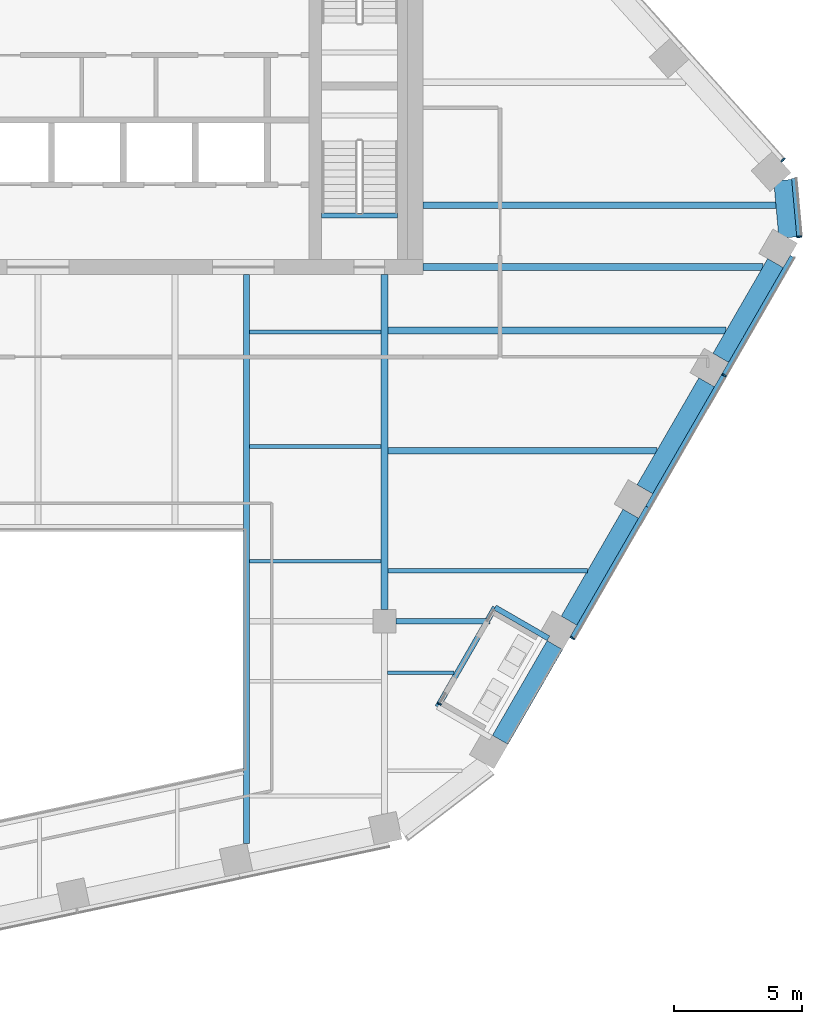
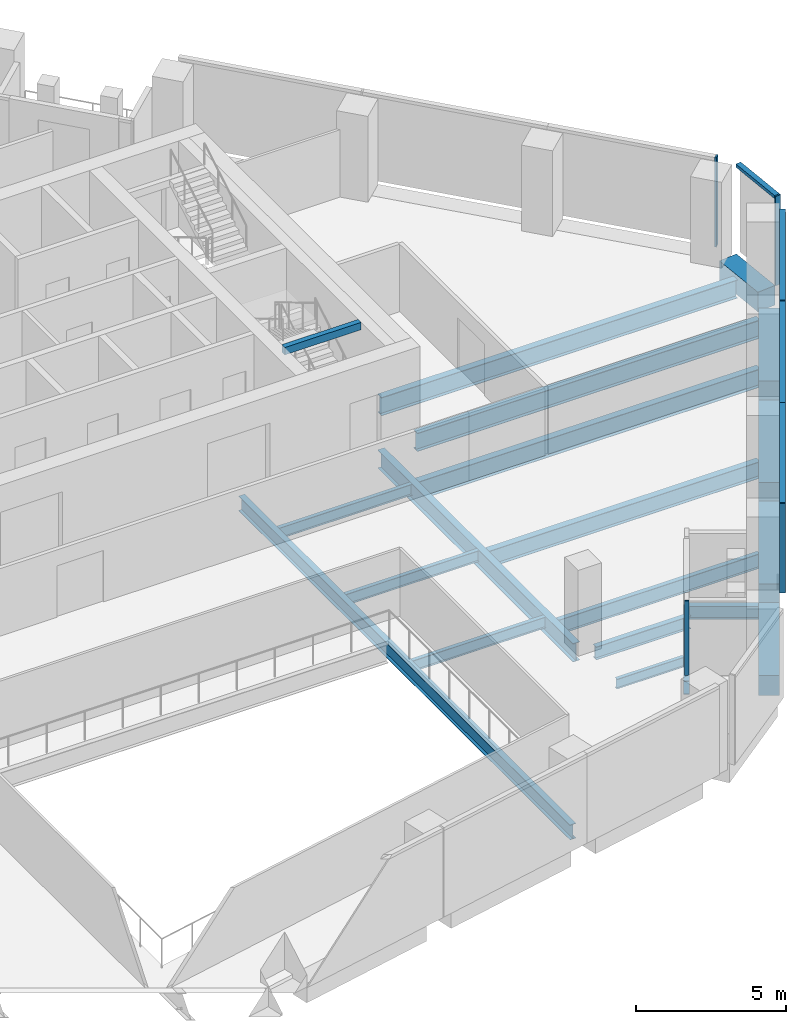
# One storey, part 5 of 24: 20 beams, 9 members, 4 elements without a shape of their own.
"""IFC4 building model written with IfcOpenShell, lengths in metres."""

from ifc_helpers import new_model, si_unit, direction, frame, origin, origin_2d, place, context, subcontext, project, spatial, rectangle, i_section, extrude, material, layer, layer_set, material_profile, profile_set, type_object, element, aggregate, save


model = new_model("IFC4")

# Units and contexts
model_context = context("Model", 3, precision=1e-05, world=origin(), true_north=direction((0.0, 1.0)))
body_context = subcontext(model_context, "Body", "Model", "MODEL_VIEW")
ifc_project = project(units=[si_unit("LENGTHUNIT", "METRE"), si_unit("AREAUNIT", "SQUARE_METRE"), si_unit("VOLUMEUNIT", "CUBIC_METRE"), si_unit("PLANEANGLEUNIT", "RADIAN"), si_unit("MASSUNIT", "GRAM", prefix="KILO")], contexts=[model_context])

# Site, building, storey
site_placement = place(None, origin())
site = spatial("IfcSite", under=ifc_project, at=site_placement, CompositionType="ELEMENT")
building_placement = place(site_placement, origin())
building = spatial("IfcBuilding", under=site, at=building_placement, Name="Isthmus Gate Tower", CompositionType="ELEMENT")
storey_placement = place(building_placement, frame((0.0, 0.0, 219.949951171875)))
storey = spatial("IfcBuildingStorey", under=building, at=storey_placement, Name="L55", CompositionType="ELEMENT", Elevation=219.949951171875)

# Curtain wall, members
ifc_material_1 = material(Name="Aluminium, pale champagne anodised", Category="aluminium")
ifc_layer_1 = layer(ifc_material_1, 0.199951171875)
ifc_layer_set_1 = layer_set([ifc_layer_1], Name="CW-1 UNITISED CURTAIN WALL 200 DEEP")
curtain_wall_type_1 = type_object("IfcCurtainWallType", Name="CW-1 UNITISED CURTAIN WALL 200 DEEP", PredefinedType="NOTDEFINED", material=ifc_layer_set_1)
curtain_wall_1_placement = place(storey_placement, origin())
curtain_wall_1 = element("IfcCurtainWall", 1, at=curtain_wall_1_placement, inside=storey, type_object=curtain_wall_type_1, Name="CW-1 SE L55", PredefinedType="NOTDEFINED")
ifc_material_2 = material(Name="Aluminium, pale champagne anodised", Category="aluminium")
ifc_material_profile_1 = material_profile(ifc_material_2, rectangle(XDim=0.06005859375, YDim=0.199951171875, at=origin_2d()), Name="60x200")
ifc_profile_set_1 = profile_set([ifc_material_profile_1], Name="Aluminium, pale champagne anodised")
member_type_1 = type_object("IfcMemberType", Name="CW-1 MULLION 60 X 200", PredefinedType="MULLION", material=ifc_profile_set_1)
member_1_placement = place(storey_placement, frame((20.81201171875, -14.152587890625, 0.0), z_axis=(0.0, 0.0, 1.0), x_axis=(0.5, 0.866025403784, 0.0)))
member_1 = element("IfcMember", 2, at=member_1_placement, type_object=member_type_1, Name="CW-1 mullion", PredefinedType="MULLION", context=body_context, shape_type="SweptSolid", body=[
    extrude(rectangle(XDim=0.06005859375, YDim=0.199951171875, at=origin_2d()), origin(), (0.0, 0.0, 1.0), 3.650146484375),
])
member_2_placement = place(storey_placement, frame((26.72265625, -3.9150390625, 0.0), z_axis=(0.0, 0.0, 1.0), x_axis=(0.5, 0.866025403784, 0.0)))
member_2 = element("IfcMember", 3, at=member_2_placement, type_object=member_type_1, Name="CW-1 mullion", PredefinedType="MULLION", context=body_context, shape_type="SweptSolid", body=[
    extrude(rectangle(XDim=0.06005859375, YDim=0.199951171875, at=origin_2d()), origin(), (0.0, 0.0, 1.0), 3.650146484375),
])

# Curtain wall, member
curtain_wall_2_placement = place(storey_placement, origin())
curtain_wall_2 = element("IfcCurtainWall", 4, at=curtain_wall_2_placement, inside=storey, type_object=curtain_wall_type_1, Name="CW-1 SE-NE L55", PredefinedType="NOTDEFINED")
member_3_placement = place(storey_placement, frame((29.654296875, 1.4765625, 0.0), z_axis=(0.0, 0.0, 1.0), x_axis=(-0.089396669717, 0.995996102123, 0.0)))
member_3 = element("IfcMember", 5, at=member_3_placement, type_object=member_type_1, Name="CW-1 mullion", PredefinedType="MULLION", context=body_context, shape_type="SweptSolid", body=[
    extrude(rectangle(XDim=0.06005859375, YDim=0.199951171875, at=origin_2d()), origin(), (0.0, 0.0, 1.0), 3.650146484375),
])

curtain_wall_3_placement = place(storey_placement, origin())
curtain_wall_3 = element("IfcCurtainWall", 6, at=curtain_wall_3_placement, inside=storey, type_object=curtain_wall_type_1, Name="CW-1 NE L55", PredefinedType="NOTDEFINED")
member_4_placement = place(storey_placement, frame((29.016357421875, 4.46923828125, 0.0), z_axis=(0.0, 0.0, 1.0), x_axis=(-0.669130606359, 0.743144825477, 0.0)))
member_4 = element("IfcMember", 7, at=member_4_placement, type_object=member_type_1, Name="CW-1 mullion", PredefinedType="MULLION", context=body_context, shape_type="SweptSolid", body=[
    extrude(rectangle(XDim=0.06005859375, YDim=0.199951171875, at=origin_2d()), origin(), (0.0, 0.0, 1.0), 3.650146484375),
])
aggregate(curtain_wall_3, [member_4])

# Member
ifc_material_3 = material(Name="Aluminium, pale champagne anodised", Category="aluminium")
ifc_material_profile_2 = material_profile(ifc_material_3, rectangle(XDim=0.199951171875, YDim=0.1298828125, at=origin_2d()), Name="200x130")
ifc_profile_set_2 = profile_set([ifc_material_profile_2], Name="Aluminium, pale champagne anodised")
member_type_2 = type_object("IfcMemberType", Name="CW-1 TRANSOM 200 X 130", PredefinedType="USERDEFINED", material=ifc_profile_set_2)
member_5_placement = place(storey_placement, frame((20.826904296875, -14.126708984375, 3.5849609375), z_axis=(0.49998975084, 0.866031321059, 0.0), x_axis=(-0.866031321059, 0.49998975084, 0.0)))
member_5 = element("IfcMember", 8, at=member_5_placement, type_object=member_type_2, Name="CW-1 transom", ObjectType="TRANSOM", PredefinedType="USERDEFINED", context=body_context, shape_type="SweptSolid", body=[
    extrude(rectangle(XDim=0.199951171875, YDim=0.1298828125, at=origin_2d()), origin(), (0.0, 0.0, 1.0), 5.8505859375),
])

member_6_placement = place(storey_placement, frame((23.752197265625, -9.059814453125, 3.5849609375), z_axis=(0.500008496284, 0.866020498397, 0.0), x_axis=(-0.866020498397, 0.500008496284, 0.0)))
member_6 = element("IfcMember", 9, at=member_6_placement, type_object=member_type_2, Name="CW-1 transom", ObjectType="TRANSOM", PredefinedType="USERDEFINED", context=body_context, shape_type="SweptSolid", body=[
    extrude(rectangle(XDim=0.199951171875, YDim=0.1298828125, at=origin_2d()), origin(), (0.0, 0.0, 1.0), 5.91064453125),
])

member_7_placement = place(storey_placement, frame((26.737548828125, -3.88916015625, 3.5849609375), z_axis=(0.500022807565, 0.86601223543, 0.0), x_axis=(-0.86601223543, 0.500022807565, 0.0)))
member_7 = element("IfcMember", 10, at=member_7_placement, type_object=member_type_2, Name="CW-1 transom", ObjectType="TRANSOM", PredefinedType="USERDEFINED", context=body_context, shape_type="SweptSolid", body=[
    extrude(rectangle(XDim=0.199951171875, YDim=0.1298828125, at=origin_2d()), origin(), (0.0, 0.0, 1.0), 5.300537109375),
])

aggregate(curtain_wall_1, [member_1, member_5, member_6, member_2, member_7])

member_8_placement = place(storey_placement, frame((29.651611328125, 1.506591796875, 3.5849609375), z_axis=(-0.089395362867, 0.995996219419, 0.0), x_axis=(-0.995996219419, -0.089395362867, 0.0)))
member_8 = element("IfcMember", 11, at=member_8_placement, type_object=member_type_2, Name="CW-1 transom", ObjectType="TRANSOM", PredefinedType="USERDEFINED", context=body_context, shape_type="SweptSolid", body=[
    extrude(rectangle(XDim=0.199951171875, YDim=0.1298828125, at=origin_2d()), origin(), (0.0, 0.0, 1.0), 2.258544921875),
])

aggregate(curtain_wall_2, [member_3, member_8])

# Curtain wall, member
ifc_material_4 = material(Name="Aluminium, pale champagne anodised", Category="aluminium")
ifc_layer_2 = layer(ifc_material_4, 0.14990234375)
ifc_layer_set_2 = layer_set([ifc_layer_2], Name="CW-6 LOGGIA BACK WALL GLAZING 150 DEEP")
curtain_wall_type_2 = type_object("IfcCurtainWallType", Name="CW-6 LOGGIA BACK WALL GLAZING 150 DEEP", PredefinedType="NOTDEFINED", material=ifc_layer_set_2)
curtain_wall_4_placement = place(storey_placement, origin())
curtain_wall_4 = element("IfcCurtainWall", 12, at=curtain_wall_4_placement, inside=storey, type_object=curtain_wall_type_2, Name="CW-6 SE L55", PredefinedType="NOTDEFINED")
ifc_material_5 = material(Name="Aluminium, pale champagne anodised", Category="aluminium")
ifc_material_profile_3 = material_profile(ifc_material_5, rectangle(XDim=0.06005859375, YDim=0.14990234375, at=origin_2d()), Name="60x150")
ifc_profile_set_3 = profile_set([ifc_material_profile_3], Name="Aluminium, pale champagne anodised")
member_type_3 = type_object("IfcMemberType", Name="CW-6 MULLION 60 X 150", PredefinedType="MULLION", material=ifc_profile_set_3)
member_9_placement = place(storey_placement, frame((15.635498046875, -16.71875, 0.0), z_axis=(0.0, 0.0, 1.0), x_axis=(0.5, 0.866025403784, 0.0)))
member_9 = element("IfcMember", 13, at=member_9_placement, type_object=member_type_3, Name="CW-6 mullion", PredefinedType="MULLION", context=body_context, shape_type="SweptSolid", body=[
    extrude(rectangle(XDim=0.06005859375, YDim=0.14990234375, at=origin_2d()), origin(), (0.0, 0.0, 1.0), 3.050048828125),
])
aggregate(curtain_wall_4, [member_9])

# Beams
ifc_material_6 = material(Name="Concrete f'c 50 MPa", Category="concrete")
ifc_material_profile_4 = material_profile(ifc_material_6, rectangle(XDim=0.699951171875, YDim=0.800048828125, at=origin_2d()), Name="RC 700X800")
ifc_profile_set_4 = profile_set([ifc_material_profile_4], Name="Concrete f'c 50 MPa")
beam_type_1 = type_object("IfcBeamType", Name="RC SPANDREL 700 X 800", PredefinedType="SPANDREL", material=ifc_profile_set_4)
beam_1_placement = place(storey_placement, frame((29.0048828125, 3.678466796875, -0.39990234375), z_axis=(0.089359478208, -0.995999439585, 0.0), x_axis=(0.995999439585, 0.089359478208, 0.0)))
element("IfcBeam", 14, at=beam_1_placement, inside=storey, type_object=beam_type_1, Name="str-spandrel-L55-05", PredefinedType="SPANDREL", context=body_context, shape_type="SweptSolid", body=[
    extrude(rectangle(XDim=0.699951171875, YDim=0.800048828125, at=origin_2d()), origin(), (0.0, 0.0, 1.0), 2.245849609375),
])
beam_2_placement = place(storey_placement, frame((28.72314453125, 0.449951171875, -0.39990234375), z_axis=(-0.500021719575, -0.866012863619, 0.0), x_axis=(0.866012863619, -0.500021719575, 0.0)))
element("IfcBeam", 15, at=beam_2_placement, inside=storey, type_object=beam_type_1, Name="str-spandrel-L55-06", PredefinedType="SPANDREL", context=body_context, shape_type="SweptSolid", body=[
    extrude(rectangle(XDim=0.699951171875, YDim=0.800048828125, at=origin_2d()), origin(), (0.0, 0.0, 1.0), 4.260498046875),
])
for number, where, z_axis, x_axis, name in (
    (16, (26.04296875, -4.1923828125, -0.39990234375), (-0.500019702373, -0.866014028315, 0.0), (0.866014028315, -0.500019702373, 0.0), "str-spandrel-L55-07"),
    (17, (23.087646484375, -9.31103515625, -0.39990234375), (-0.49998164095, -0.866036003127, 0.0), (0.866036003127, -0.49998164095, 0.0), "str-spandrel-L55-08"),
):
    element("IfcBeam", number, at=place(storey_placement, frame(where, z_axis=z_axis, x_axis=x_axis)), inside=storey, type_object=beam_type_1, Name=name, PredefinedType="SPANDREL", context=body_context, shape_type="SweptSolid", body=[
        extrude(rectangle(XDim=0.699951171875, YDim=0.800048828125, at=origin_2d()), origin(), (0.0, 0.0, 1.0), 4.810791015625),
    ])
beam_3_placement = place(storey_placement, frame((20.13232421875, -14.429931640625, -0.39990234375), z_axis=(-0.500021719575, -0.866012863619, 0.0), x_axis=(0.866012863619, -0.500021719575, 0.0)))
element("IfcBeam", 18, at=beam_3_placement, inside=storey, type_object=beam_type_1, Name="str-spandrel-L55-09", PredefinedType="SPANDREL", context=body_context, shape_type="SweptSolid", body=[
    extrude(rectangle(XDim=0.699951171875, YDim=0.800048828125, at=origin_2d()), origin(), (0.0, 0.0, 1.0), 4.260498046875),
])
ifc_material_7 = material(Name="Concrete f'c 40 MPa", Category="concrete")
ifc_material_profile_5 = material_profile(ifc_material_7, rectangle(XDim=0.199951171875, YDim=0.300048828125, at=origin_2d()), Name="STAIR LANDING BEAM RC 200 X 300")
ifc_profile_set_5 = profile_set([ifc_material_profile_5], Name="Concrete f'c 40 MPa")
beam_type_2 = type_object("IfcBeamType", Name="STAIR LANDING BEAM RC 200 X 300", PredefinedType="BEAM", material=ifc_profile_set_5)
beam_4_placement = place(storey_placement, frame((11.050048828125, 2.2998046875, 3.35009765625), z_axis=(1.0, 0.0, 0.0), x_axis=(0.0, 1.0, 0.0)))
element("IfcBeam", 19, at=beam_4_placement, inside=storey, type_object=beam_type_2, Name="L55 ST8 floor-edge seat beam", PredefinedType="BEAM", context=body_context, shape_type="SweptSolid", body=[
    extrude(rectangle(XDim=0.199951171875, YDim=0.300048828125, at=origin_2d()), origin(), (0.0, 0.0, 1.0), 2.949951171875),
])
ifc_material_8 = material(Name="Structural steel ASTM A992 Gr 50", Category="steel")
ifc_material_profile_6 = material_profile(ifc_material_8, i_section(OverallWidth=0.1396484375, OverallDepth=0.4033203125, WebThickness=0.00634765625, FlangeThickness=0.010986328125, at=origin_2d()), Name="W16X31")
ifc_profile_set_6 = profile_set([ifc_material_profile_6], Name="Structural steel ASTM A992 Gr 50")
beam_type_3 = type_object("IfcBeamType", Name="STEEL FLOOR BEAM W16X31", PredefinedType="JOIST", material=ifc_profile_set_6)
beam_5_placement = place(storey_placement, frame((13.6142578125, -15.5107421875, -0.3515625), z_axis=(1.0, 0.0, 0.0), x_axis=(0.0, 1.0, 0.0)))
element("IfcBeam", 20, at=beam_5_placement, inside=storey, type_object=beam_type_3, Name="str-beam-L55-15-01", PredefinedType="JOIST", context=body_context, shape_type="SweptSolid", body=[
    extrude(i_section(OverallWidth=0.1396484375, OverallDepth=0.4033203125, WebThickness=0.00634765625, FlangeThickness=0.010986328125, at=origin_2d()), origin(), (0.0, 0.0, 1.0), 2.592041015625),
])
ifc_material_9 = material(Name="Structural steel ASTM A992 Gr 50", Category="steel")
ifc_material_profile_7 = material_profile(ifc_material_9, i_section(OverallWidth=0.15234375, OverallDepth=0.45068359375, WebThickness=0.0078125, FlangeThickness=0.010986328125, at=origin_2d()), Name="W18X35")
ifc_profile_set_7 = profile_set([ifc_material_profile_7], Name="Structural steel ASTM A992 Gr 50")
beam_type_4 = type_object("IfcBeamType", Name="STEEL FLOOR BEAM W18X35", PredefinedType="JOIST", material=ifc_profile_set_7)
for number, where, z_axis, x_axis, name in (
    (21, (8.228515625, -11.16259765625, -0.375244140625), (1.0, 0.0, 0.0), (0.0, 1.0, 0.0), "str-beam-L55-13-00"),
    (22, (8.228515625, -6.697509765625, -0.375244140625), (1.0, 0.0, 0.0), (0.0, 1.0, 0.0), "str-beam-L55-13-01"),
    (23, (8.228515625, -2.232421875, -0.375244140625), (1.0, 0.0, 0.0), (0.0, 1.0, 0.0), "str-beam-L55-13-02"),
):
    element("IfcBeam", number, at=place(storey_placement, frame(where, z_axis=z_axis, x_axis=x_axis)), inside=storey, type_object=beam_type_4, Name=name, PredefinedType="JOIST", context=body_context, shape_type="SweptSolid", body=[
        extrude(i_section(OverallWidth=0.15234375, OverallDepth=0.45068359375, WebThickness=0.0078125, FlangeThickness=0.010986328125, at=origin_2d()), origin(), (0.0, 0.0, 1.0), 5.1396484375),
    ])
ifc_material_10 = material(Name="Structural steel ASTM A992 Gr 50", Category="steel")
ifc_material_profile_8 = material_profile(ifc_material_10, i_section(OverallWidth=0.177734375, OverallDepth=0.60009765625, WebThickness=0.009521484375, FlangeThickness=0.0126953125, at=origin_2d()), Name="W24X55")
ifc_profile_set_8 = profile_set([ifc_material_profile_8], Name="Structural steel ASTM A992 Gr 50")
beam_type_5 = type_object("IfcBeamType", Name="STEEL FLOOR BEAM W24X55", PredefinedType="JOIST", material=ifc_profile_set_8)
beam_6_placement = place(storey_placement, frame((13.6318359375, -11.533203125, -0.449951171875), z_axis=(1.0, 0.0, 0.0), x_axis=(0.0, 1.0, 0.0)))
element("IfcBeam", 24, at=beam_6_placement, inside=storey, type_object=beam_type_5, Name="str-beam-L55-17-00", PredefinedType="JOIST", context=body_context, shape_type="SweptSolid", body=[
    extrude(i_section(OverallWidth=0.177734375, OverallDepth=0.60009765625, WebThickness=0.009521484375, FlangeThickness=0.0126953125, at=origin_2d()), origin(), (0.0, 0.0, 1.0), 7.768798828125),
])
ifc_material_11 = material(Name="Structural steel ASTM A992 Gr 50", Category="steel")
ifc_material_profile_9 = material_profile(ifc_material_11, i_section(OverallWidth=0.25390625, OverallDepth=0.679443359375, WebThickness=0.010986328125, FlangeThickness=0.015869140625, at=origin_2d()), Name="W27X84")
ifc_profile_set_9 = profile_set([ifc_material_profile_9], Name="Structural steel ASTM A992 Gr 50")
beam_type_6 = type_object("IfcBeamType", Name="STEEL FLOOR BEAM W27X84", PredefinedType="JOIST", material=ifc_profile_set_9)
beam_7_placement = place(storey_placement, frame((13.6318359375, -6.8525390625, -0.48974609375), z_axis=(1.0, 0.0, 0.0), x_axis=(0.0, 1.0, 0.0)))
element("IfcBeam", 25, at=beam_7_placement, inside=storey, type_object=beam_type_6, Name="str-beam-L55-17-01", PredefinedType="JOIST", context=body_context, shape_type="SweptSolid", body=[
    extrude(i_section(OverallWidth=0.25390625, OverallDepth=0.679443359375, WebThickness=0.010986328125, FlangeThickness=0.015869140625, at=origin_2d()), origin(), (0.0, 0.0, 1.0), 10.470947265625),
])
ifc_material_12 = material(Name="Structural steel ASTM A992 Gr 50", Category="steel")
ifc_material_profile_10 = material_profile(ifc_material_12, i_section(OverallWidth=0.263427734375, OverallDepth=0.749267578125, WebThickness=0.0126953125, FlangeThickness=0.015869140625, at=origin_2d()), Name="W30X90")
ifc_profile_set_10 = profile_set([ifc_material_profile_10], Name="Structural steel ASTM A992 Gr 50")
beam_type_7 = type_object("IfcBeamType", Name="STEEL FLOOR BEAM W30X90", PredefinedType="JOIST", material=ifc_profile_set_10)
beam_8_placement = place(storey_placement, frame((13.6318359375, -2.172119140625, -0.524658203125), z_axis=(1.0, 0.0, 0.0), x_axis=(0.0, 1.0, 0.0)))
element("IfcBeam", 26, at=beam_8_placement, inside=storey, type_object=beam_type_7, Name="str-beam-L55-17-02", PredefinedType="JOIST", context=body_context, shape_type="SweptSolid", body=[
    extrude(i_section(OverallWidth=0.263427734375, OverallDepth=0.749267578125, WebThickness=0.0126953125, FlangeThickness=0.015869140625, at=origin_2d()), origin(), (0.0, 0.0, 1.0), 13.17333984375),
])
beam_9_placement = place(storey_placement, frame((15.0, 2.699951171875, -0.524658203125), z_axis=(1.0, 0.0, 0.0), x_axis=(0.0, 1.0, 0.0)))
element("IfcBeam", 27, at=beam_9_placement, inside=storey, type_object=beam_type_7, Name="str-beam-L55-18-00", PredefinedType="JOIST", context=body_context, shape_type="SweptSolid", body=[
    extrude(i_section(OverallWidth=0.263427734375, OverallDepth=0.749267578125, WebThickness=0.0126953125, FlangeThickness=0.015869140625, at=origin_2d()), origin(), (0.0, 0.0, 1.0), 13.7412109375),
])
ifc_material_13 = material(Name="Structural steel ASTM A992 Gr 50", Category="steel")
ifc_material_profile_11 = material_profile(ifc_material_13, i_section(OverallWidth=0.20947265625, OverallDepth=0.533447265625, WebThickness=0.009521484375, FlangeThickness=0.015869140625, at=origin_2d()), Name="W21X62")
ifc_profile_set_11 = profile_set([ifc_material_profile_11], Name="Structural steel ASTM A992 Gr 50")
beam_type_8 = type_object("IfcBeamType", Name="STEEL GIRDER W21X62", PredefinedType="BEAM", material=ifc_profile_set_11)
beam_10_placement = place(storey_placement, frame((13.949951171875, -13.5, -0.416748046875), z_axis=(1.0, 0.0, 0.0), x_axis=(0.0, 1.0, 0.0)))
element("IfcBeam", 28, at=beam_10_placement, inside=storey, type_object=beam_type_8, Name="str-girder-L55-04", PredefinedType="BEAM", context=body_context, shape_type="SweptSolid", body=[
    extrude(i_section(OverallWidth=0.20947265625, OverallDepth=0.533447265625, WebThickness=0.009521484375, FlangeThickness=0.015869140625, at=origin_2d()), origin(), (0.0, 0.0, 1.0), 3.6591796875),
])
ifc_material_14 = material(Name="Structural steel ASTM A992 Gr 50", Category="steel")
ifc_material_profile_12 = material_profile(ifc_material_14, i_section(OverallWidth=0.263427734375, OverallDepth=0.749267578125, WebThickness=0.0126953125, FlangeThickness=0.015869140625, at=origin_2d()), Name="W30X90")
ifc_profile_set_12 = profile_set([ifc_material_profile_12], Name="Structural steel ASTM A992 Gr 50")
beam_type_9 = type_object("IfcBeamType", Name="STEEL GIRDER W30X90", PredefinedType="BEAM", material=ifc_profile_set_12)
beam_11_placement = place(storey_placement, frame((13.5, -13.050048828125, -0.524658203125), z_axis=(0.0, 1.0, 0.0), x_axis=(-1.0, 0.0, 0.0)))
element("IfcBeam", 29, at=beam_11_placement, inside=storey, type_object=beam_type_9, Name="str-girder-L55-08", PredefinedType="BEAM", context=body_context, shape_type="SweptSolid", body=[
    extrude(i_section(OverallWidth=0.263427734375, OverallDepth=0.749267578125, WebThickness=0.0126953125, FlangeThickness=0.015869140625, at=origin_2d()), origin(), (0.0, 0.0, 1.0), 13.050048828125),
])
beam_12_placement = place(storey_placement, frame((15.0, 0.300048828125, -0.524658203125), z_axis=(1.0, 0.0, 0.0), x_axis=(0.0, 1.0, 0.0)))
element("IfcBeam", 30, at=beam_12_placement, inside=storey, type_object=beam_type_9, Name="str-girder-L55-10", PredefinedType="BEAM", context=body_context, shape_type="SweptSolid", body=[
    extrude(i_section(OverallWidth=0.263427734375, OverallDepth=0.749267578125, WebThickness=0.0126953125, FlangeThickness=0.015869140625, at=origin_2d()), origin(), (0.0, 0.0, 1.0), 13.232421875),
])
ifc_material_15 = material(Name="Structural steel ASTM A992 Gr 50", Category="steel")
ifc_material_profile_13 = material_profile(ifc_material_15, i_section(OverallWidth=0.20947265625, OverallDepth=0.533447265625, WebThickness=0.009521484375, FlangeThickness=0.015869140625, at=origin_2d()), Name="W21X62")
ifc_profile_set_13 = profile_set([ifc_material_profile_13], Name="Structural steel ASTM A992 Gr 50")
beam_type_10 = type_object("IfcBeamType", Name="STEEL TRIMMER W21X62", PredefinedType="BEAM", material=ifc_profile_set_13)
beam_13_placement = place(storey_placement, frame((15.56396484375, -16.8330078125, -0.416748046875), z_axis=(0.499998229721, 0.866026425853, 0.0), x_axis=(-0.866026425853, 0.499998229721, 0.0)))
element("IfcBeam", 31, at=beam_13_placement, inside=storey, type_object=beam_type_10, Name="str-loggiatrim-L55-04-B", PredefinedType="BEAM", context=body_context, shape_type="SweptSolid", body=[
    extrude(i_section(OverallWidth=0.20947265625, OverallDepth=0.533447265625, WebThickness=0.009521484375, FlangeThickness=0.015869140625, at=origin_2d()), origin(), (0.0, 0.0, 1.0), 4.47021484375),
])
beam_14_placement = place(storey_placement, frame((19.881591796875, -14.1640625, -0.416748046875), z_axis=(-0.866016514357, 0.500015396624, 0.0), x_axis=(-0.500015396624, -0.866016514357, 0.0)))
element("IfcBeam", 32, at=beam_14_placement, inside=storey, type_object=beam_type_10, Name="str-loggiatrim-L55-04-C", PredefinedType="BEAM", context=body_context, shape_type="SweptSolid", body=[
    extrude(i_section(OverallWidth=0.20947265625, OverallDepth=0.533447265625, WebThickness=0.009521484375, FlangeThickness=0.015869140625, at=origin_2d()), origin(), (0.0, 0.0, 1.0), 2.40478515625),
])
ifc_material_16 = material(Name="Structural steel ASTM A992 Gr 50", Category="steel")
ifc_material_profile_14 = material_profile(ifc_material_16, i_section(OverallWidth=0.228515625, OverallDepth=0.6064453125, WebThickness=0.010986328125, FlangeThickness=0.017578125, at=origin_2d()), Name="W24X76")
ifc_profile_set_14 = profile_set([ifc_material_profile_14], Name="Structural steel ASTM A992 Gr 50")
beam_type_11 = type_object("IfcBeamType", Name="STEEL TRIMMER W24X76", PredefinedType="BEAM", material=ifc_profile_set_14)
beam_15_placement = place(storey_placement, frame((8.1142578125, -22.150634765625, -0.453125), z_axis=(0.0, 1.0, 0.0), x_axis=(-1.0, 0.0, 0.0)))
element("IfcBeam", 33, at=beam_15_placement, inside=storey, type_object=beam_type_11, Name="str-trimmer-L55-01", PredefinedType="BEAM", context=body_context, shape_type="SweptSolid", body=[
    extrude(i_section(OverallWidth=0.228515625, OverallDepth=0.6064453125, WebThickness=0.010986328125, FlangeThickness=0.017578125, at=origin_2d()), origin(), (0.0, 0.0, 1.0), 22.150634765625),
])

save(model, "model.ifc")
